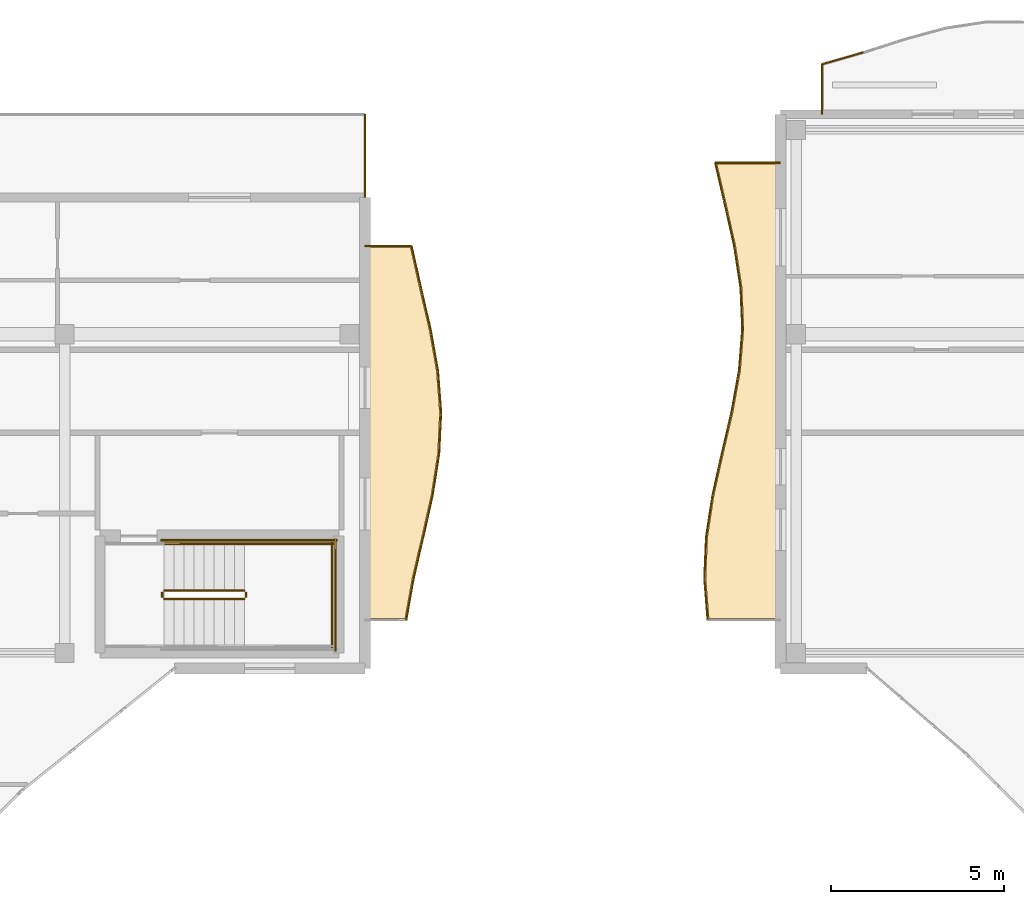
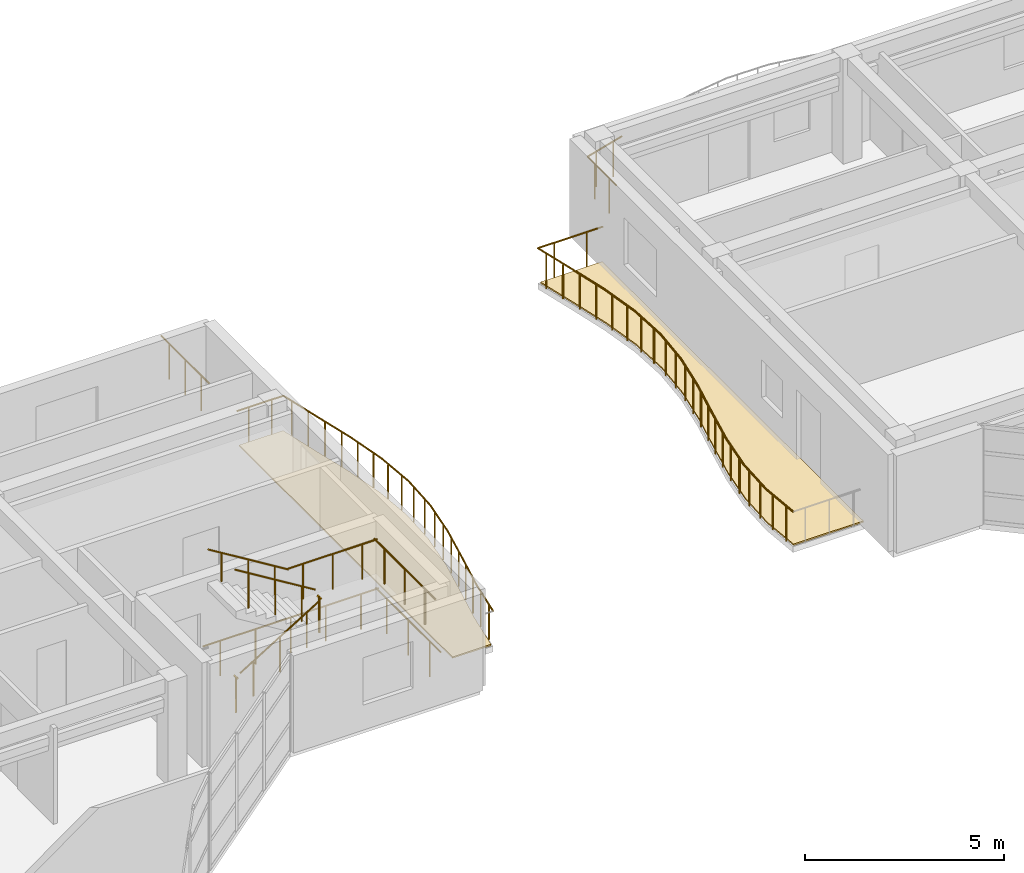
# One storey, part 58 of 68: 34 railings, 2 coverings.
"""IFC4 building model written with IfcOpenShell, lengths in metres."""

from ifc_helpers import new_model, si_unit, direction, frame, origin, origin_2d, place, context, subcontext, project, spatial, polyline, circle, outline, extrude, material, layer, layer_set, type_object, element, save


model = new_model("IFC4")

# Units and contexts
model_context = context("Model", 3, precision=1e-05, world=origin(), true_north=direction((0.0, 1.0)))
body_context = subcontext(model_context, "Body", "Model", "MODEL_VIEW")
ifc_project = project(units=[si_unit("LENGTHUNIT", "METRE"), si_unit("AREAUNIT", "SQUARE_METRE"), si_unit("VOLUMEUNIT", "CUBIC_METRE"), si_unit("PLANEANGLEUNIT", "RADIAN"), si_unit("MASSUNIT", "GRAM", prefix="KILO")], contexts=[model_context])

# Site, building, storey
site_placement = place(None, origin())
site = spatial("IfcSite", under=ifc_project, at=site_placement, CompositionType="ELEMENT")
building_placement = place(site_placement, origin())
building = spatial("IfcBuilding", under=site, at=building_placement, Name="Keldmere Railside Commons", CompositionType="ELEMENT")
storey_placement = place(building_placement, frame((0.0, 0.0, 23.360107421875)))
storey = spatial("IfcBuildingStorey", under=building, at=storey_placement, Name="L07", CompositionType="ELEMENT", Elevation=23.360107421875)

# Railings
ifc_material_1 = material(Name="Steel F-24 (S235)", Category="steel")
railing_type_1 = type_object("IfcRailingType", Name="Balcony & Terrace Steel Balustrade 1100", PredefinedType="BALUSTRADE", material=ifc_material_1)
railing_1_placement = place(storey_placement, frame((82.6923828125, 101.39990234375, 0.0)))
element("IfcRailing", 1, at=railing_1_placement, inside=storey, type_object=railing_type_1, Name="GR-1 GRD-L07-1600", PredefinedType="BALUSTRADE", context=body_context, shape_type="SweptSolid", body=[
    extrude(circle(Radius=0.02392578125, at=origin_2d()), frame((0.0, 0.0, 1.076171875), z_axis=(0.175236093414, 0.984526440257, 0.0), x_axis=(-0.984526440257, 0.175236093414, 0.0)), (0.0, 0.0, 1.0), 1.218994140625),
    extrude(circle(Radius=0.02099609375, at=origin_2d()), frame((0.053466796875, 0.300048828125, 0.0)), (0.0, 0.0, 1.0), 1.048095703125),
    extrude(circle(Radius=0.02099609375, at=origin_2d()), frame((0.16015625, 0.900146484375, 0.0)), (0.0, 0.0, 1.0), 1.048095703125),
])
railing_2_placement = place(storey_placement, frame((82.906005859375, 102.60009765625, 0.0)))
element("IfcRailing", 2, at=railing_2_placement, inside=storey, type_object=railing_type_1, Name="GR-1 GRD-L07-1601", PredefinedType="BALUSTRADE", context=body_context, shape_type="SweptSolid", body=[
    extrude(circle(Radius=0.02392578125, at=origin_2d()), frame((0.0, 0.0, 1.076171875), z_axis=(0.226697113125, 0.973965306826, 0.0), x_axis=(-0.973965306826, 0.226697113125, 0.0)), (0.0, 0.0, 1.0), 1.23193359375),
    extrude(circle(Radius=0.02099609375, at=origin_2d()), frame((0.06982421875, 0.300048828125, 0.0)), (0.0, 0.0, 1.0), 1.048095703125),
    extrude(circle(Radius=0.02099609375, at=origin_2d()), frame((0.20947265625, 0.89990234375, 0.0)), (0.0, 0.0, 1.0), 1.048095703125),
])
railing_3_placement = place(storey_placement, frame((83.185302734375, 103.800048828125, 0.0)))
element("IfcRailing", 3, at=railing_3_placement, inside=storey, type_object=railing_type_1, Name="GR-1 GRD-L07-1602", PredefinedType="BALUSTRADE", context=body_context, shape_type="SweptSolid", body=[
    extrude(circle(Radius=0.02392578125, at=origin_2d()), frame((0.0, 0.0, 1.076171875), z_axis=(0.219157904751, 0.97568940385, 0.0), x_axis=(-0.97568940385, 0.219157904751, 0.0)), (0.0, 0.0, 1.0), 1.229736328125),
    extrude(circle(Radius=0.02099609375, at=origin_2d()), frame((0.0673828125, 0.300048828125, 0.0)), (0.0, 0.0, 1.0), 1.048095703125),
    extrude(circle(Radius=0.02099609375, at=origin_2d()), frame((0.2021484375, 0.89990234375, 0.0)), (0.0, 0.0, 1.0), 1.048095703125),
])
railing_4_placement = place(storey_placement, frame((83.454833984375, 105.0, 0.0)))
element("IfcRailing", 4, at=railing_4_placement, inside=storey, type_object=railing_type_1, Name="GR-1 GRD-L07-1603", PredefinedType="BALUSTRADE", context=body_context, shape_type="SweptSolid", body=[
    extrude(circle(Radius=0.02392578125, at=origin_2d()), frame((0.0, 0.0, 1.076171875), z_axis=(0.154775432703, 0.987949677581, 0.0), x_axis=(-0.987949677581, 0.154775432703, 0.0)), (0.0, 0.0, 1.0), 1.214599609375),
    extrude(circle(Radius=0.02099609375, at=origin_2d()), frame((0.046875, 0.300048828125, 0.0)), (0.0, 0.0, 1.0), 1.048095703125),
    extrude(circle(Radius=0.02099609375, at=origin_2d()), frame((0.14111328125, 0.89990234375, 0.0)), (0.0, 0.0, 1.0), 1.048095703125),
])
railing_5_placement = place(storey_placement, frame((83.642822265625, 106.199951171875, 0.0)))
element("IfcRailing", 5, at=railing_5_placement, inside=storey, type_object=railing_type_1, Name="GR-1 GRD-L07-1604", PredefinedType="BALUSTRADE", context=body_context, shape_type="SweptSolid", body=[
    extrude(circle(Radius=0.02392578125, at=origin_2d()), frame((0.0, 0.0, 1.076171875), z_axis=(0.046744370991, 0.99890688444, 0.0), x_axis=(-0.99890688444, 0.046744370991, 0.0)), (0.0, 0.0, 1.0), 1.201171875),
    extrude(circle(Radius=0.02099609375, at=origin_2d()), frame((0.01416015625, 0.300048828125, 0.0)), (0.0, 0.0, 1.0), 1.048095703125),
    extrude(circle(Radius=0.02099609375, at=origin_2d()), frame((0.0419921875, 0.89990234375, 0.0)), (0.0, 0.0, 1.0), 1.048095703125),
])
railing_6_placement = place(storey_placement, frame((83.698974609375, 107.39990234375, 0.0)))
element("IfcRailing", 6, at=railing_6_placement, inside=storey, type_object=railing_type_1, Name="GR-1 GRD-L07-1605", PredefinedType="BALUSTRADE", context=body_context, shape_type="SweptSolid", body=[
    extrude(circle(Radius=0.02392578125, at=origin_2d()), frame((0.0, 0.0, 1.076171875), z_axis=(-0.075858897958, 0.997118562459, 0.0), x_axis=(-0.997118562459, -0.075858897958, 0.0)), (0.0, 0.0, 1.0), 1.20361328125),
    extrude(circle(Radius=0.02099609375, at=origin_2d()), frame((-0.02294921875, 0.300048828125, 0.0)), (0.0, 0.0, 1.0), 1.048095703125),
    extrude(circle(Radius=0.02099609375, at=origin_2d()), frame((-0.068359375, 0.900146484375, 0.0)), (0.0, 0.0, 1.0), 1.048095703125),
])
railing_7_placement = place(storey_placement, frame((83.607666015625, 108.60009765625, 0.0)))
element("IfcRailing", 7, at=railing_7_placement, inside=storey, type_object=railing_type_1, Name="GR-1 GRD-L07-1606", PredefinedType="BALUSTRADE", context=body_context, shape_type="SweptSolid", body=[
    extrude(circle(Radius=0.02392578125, at=origin_2d()), frame((0.0, 0.0, 1.076171875), z_axis=(-0.175270651584, 0.984520288614, 0.0), x_axis=(-0.984520288614, -0.175270651584, 0.0)), (0.0, 0.0, 1.0), 1.21875),
    extrude(circle(Radius=0.02099609375, at=origin_2d()), frame((-0.053466796875, 0.300048828125, 0.0)), (0.0, 0.0, 1.0), 1.048095703125),
    extrude(circle(Radius=0.02099609375, at=origin_2d()), frame((-0.16015625, 0.89990234375, 0.0)), (0.0, 0.0, 1.0), 1.048095703125),
])
railing_8_placement = place(storey_placement, frame((83.39404296875, 109.800048828125, 0.0)))
element("IfcRailing", 8, at=railing_8_placement, inside=storey, type_object=railing_type_1, Name="GR-1 GRD-L07-1607", PredefinedType="BALUSTRADE", context=body_context, shape_type="SweptSolid", body=[
    extrude(circle(Radius=0.02392578125, at=origin_2d()), frame((0.0, 0.0, 1.076171875), z_axis=(-0.226697113125, 0.973965306826, 0.0), x_axis=(-0.973965306826, -0.226697113125, 0.0)), (0.0, 0.0, 1.0), 1.23193359375),
    extrude(circle(Radius=0.02099609375, at=origin_2d()), frame((-0.06982421875, 0.300048828125, 0.0)), (0.0, 0.0, 1.0), 1.048095703125),
    extrude(circle(Radius=0.02099609375, at=origin_2d()), frame((-0.20947265625, 0.89990234375, 0.0)), (0.0, 0.0, 1.0), 1.048095703125),
])
railing_9_placement = place(storey_placement, frame((83.11474609375, 111.0, 0.0)))
element("IfcRailing", 9, at=railing_9_placement, inside=storey, type_object=railing_type_1, Name="GR-1 GRD-L07-1608", PredefinedType="BALUSTRADE", context=body_context, shape_type="SweptSolid", body=[
    extrude(circle(Radius=0.02392578125, at=origin_2d()), frame((0.0, 0.0, 1.076171875), z_axis=(-0.219157904751, 0.97568940385, 0.0), x_axis=(-0.97568940385, -0.219157904751, 0.0)), (0.0, 0.0, 1.0), 1.229736328125),
    extrude(circle(Radius=0.02099609375, at=origin_2d()), frame((-0.0673828125, 0.300048828125, 0.0)), (0.0, 0.0, 1.0), 1.048095703125),
    extrude(circle(Radius=0.02099609375, at=origin_2d()), frame((-0.2021484375, 0.89990234375, 0.0)), (0.0, 0.0, 1.0), 1.048095703125),
])
railing_10_placement = place(storey_placement, frame((82.84521484375, 112.199951171875, 0.0)))
element("IfcRailing", 10, at=railing_10_placement, inside=storey, type_object=railing_type_1, Name="GR-1 GRD-L07-1609", PredefinedType="BALUSTRADE", context=body_context, shape_type="SweptSolid", body=[
    extrude(circle(Radius=0.02392578125, at=origin_2d()), frame((0.0, 0.0, 1.076171875), z_axis=(-1.0, 0.0, 0.0), x_axis=(0.0, -1.0, 0.0)), (0.0, 0.0, 1.0), 1.34521484375),
    extrude(circle(Radius=0.02099609375, at=origin_2d()), frame((-0.33642578125, 0.0, 0.0)), (0.0, 0.0, 1.0), 1.048095703125),
    extrude(circle(Radius=0.02099609375, at=origin_2d()), frame((-1.0087890625, 0.0, 0.0)), (0.0, 0.0, 1.0), 1.048095703125),
])
railing_11_placement = place(storey_placement, frame((81.5, 116.0, 0.0)))
element("IfcRailing", 11, at=railing_11_placement, inside=storey, type_object=railing_type_1, Name="GR-1 GRD-L07-1636", PredefinedType="BALUSTRADE", context=body_context, shape_type="SweptSolid", body=[
    extrude(circle(Radius=0.02392578125, at=origin_2d()), frame((0.0, 0.0, 1.076171875), z_axis=(0.0, -1.0, 0.0), x_axis=(1.0, 0.0, 0.0)), (0.0, 0.0, 1.0), 2.39990234375),
    extrude(circle(Radius=0.02099609375, at=origin_2d()), frame((0.0, -0.39990234375, 0.0)), (0.0, 0.0, 1.0), 1.048095703125),
    extrude(circle(Radius=0.02099609375, at=origin_2d()), frame((0.0, -1.199951171875, 0.0)), (0.0, 0.0, 1.0), 1.048095703125),
    extrude(circle(Radius=0.02099609375, at=origin_2d()), frame((0.0, -2.0, 0.0)), (0.0, 0.0, 1.0), 1.048095703125),
])
railing_12_placement = place(storey_placement, frame((94.699951171875, 116.0, 0.0)))
element("IfcRailing", 12, at=railing_12_placement, inside=storey, type_object=railing_type_1, Name="GR-1 GRD-L07-2630", PredefinedType="BALUSTRADE", context=body_context, shape_type="SweptSolid", body=[
    extrude(circle(Radius=0.02392578125, at=origin_2d()), frame((0.0, 0.0, 1.076171875), z_axis=(0.0, 1.0, 0.0), x_axis=(-1.0, 0.0, 0.0)), (0.0, 0.0, 1.0), 1.447998046875),
    extrude(circle(Radius=0.02099609375, at=origin_2d()), frame((0.0, 0.362060546875, 0.0)), (0.0, 0.0, 1.0), 1.048095703125),
    extrude(circle(Radius=0.02099609375, at=origin_2d()), frame((0.0, 1.0859375, 0.0)), (0.0, 0.0, 1.0), 1.048095703125),
])
railing_13_placement = place(storey_placement, frame((94.699951171875, 117.447998046875, 0.0)))
element("IfcRailing", 13, at=railing_13_placement, inside=storey, type_object=railing_type_1, Name="GR-1 GRD-L07-2631", PredefinedType="BALUSTRADE", context=body_context, shape_type="SweptSolid", body=[
    extrude(circle(Radius=0.02392578125, at=origin_2d()), frame((0.0, 0.0, 1.076171875), z_axis=(0.960955887297, 0.27670161306, 0.0), x_axis=(-0.27670161306, 0.960955887297, 0.0)), (0.0, 0.0, 1.0), 1.237060546875),
    extrude(circle(Radius=0.02099609375, at=origin_2d()), frame((0.297119140625, 0.08544921875, 0.0)), (0.0, 0.0, 1.0), 1.048095703125),
    extrude(circle(Radius=0.02099609375, at=origin_2d()), frame((0.8916015625, 0.2568359375, 0.0)), (0.0, 0.0, 1.0), 1.048095703125),
])
railing_14_placement = place(storey_placement, frame((91.397216796875, 101.39990234375, 0.0)))
element("IfcRailing", 14, at=railing_14_placement, inside=storey, type_object=railing_type_1, Name="GR-1 GRD-L07-2736", PredefinedType="BALUSTRADE", context=body_context, shape_type="SweptSolid", body=[
    extrude(circle(Radius=0.02392578125, at=origin_2d()), frame((0.0, 0.0, 1.076171875), z_axis=(-0.079285822271, 0.996851924002, 0.0), x_axis=(-0.996851924002, -0.079285822271, 0.0)), (0.0, 0.0, 1.0), 1.2041015625),
    extrude(circle(Radius=0.02099609375, at=origin_2d()), frame((-0.02392578125, 0.300048828125, 0.0)), (0.0, 0.0, 1.0), 1.048095703125),
    extrude(circle(Radius=0.02099609375, at=origin_2d()), frame((-0.071533203125, 0.900146484375, 0.0)), (0.0, 0.0, 1.0), 1.048095703125),
])
railing_15_placement = place(storey_placement, frame((91.3017578125, 102.60009765625, 0.0)))
element("IfcRailing", 15, at=railing_15_placement, inside=storey, type_object=railing_type_1, Name="GR-1 GRD-L07-2737", PredefinedType="BALUSTRADE", context=body_context, shape_type="SweptSolid", body=[
    extrude(circle(Radius=0.02392578125, at=origin_2d()), frame((0.0, 0.0, 1.076171875), z_axis=(0.042687401884, 0.999088477424, 0.0), x_axis=(-0.999088477424, 0.042687401884, 0.0)), (0.0, 0.0, 1.0), 1.200927734375),
    extrude(circle(Radius=0.02099609375, at=origin_2d()), frame((0.0126953125, 0.300048828125, 0.0)), (0.0, 0.0, 1.0), 1.048095703125),
    extrude(circle(Radius=0.02099609375, at=origin_2d()), frame((0.03857421875, 0.89990234375, 0.0)), (0.0, 0.0, 1.0), 1.048095703125),
])
railing_16_placement = place(storey_placement, frame((91.35302734375, 103.800048828125, 0.0)))
element("IfcRailing", 16, at=railing_16_placement, inside=storey, type_object=railing_type_1, Name="GR-1 GRD-L07-2738", PredefinedType="BALUSTRADE", context=body_context, shape_type="SweptSolid", body=[
    extrude(circle(Radius=0.02392578125, at=origin_2d()), frame((0.0, 0.0, 1.076171875), z_axis=(0.152026961983, 0.988376346758, 0.0), x_axis=(-0.988376346758, 0.152026961983, 0.0)), (0.0, 0.0, 1.0), 1.214111328125),
    extrude(circle(Radius=0.02099609375, at=origin_2d()), frame((0.046142578125, 0.300048828125, 0.0)), (0.0, 0.0, 1.0), 1.048095703125),
    extrude(circle(Radius=0.02099609375, at=origin_2d()), frame((0.138427734375, 0.89990234375, 0.0)), (0.0, 0.0, 1.0), 1.048095703125),
])
railing_17_placement = place(storey_placement, frame((91.53759765625, 105.0, 0.0)))
element("IfcRailing", 17, at=railing_17_placement, inside=storey, type_object=railing_type_1, Name="GR-1 GRD-L07-2739", PredefinedType="BALUSTRADE", context=body_context, shape_type="SweptSolid", body=[
    extrude(circle(Radius=0.02392578125, at=origin_2d()), frame((0.0, 0.0, 1.076171875), z_axis=(0.218212706806, 0.975901231984, 0.0), x_axis=(-0.975901231984, 0.218212706806, 0.0)), (0.0, 0.0, 1.0), 1.2294921875),
    extrude(circle(Radius=0.02099609375, at=origin_2d()), frame((0.067138671875, 0.300048828125, 0.0)), (0.0, 0.0, 1.0), 1.048095703125),
    extrude(circle(Radius=0.02099609375, at=origin_2d()), frame((0.201171875, 0.89990234375, 0.0)), (0.0, 0.0, 1.0), 1.048095703125),
])
railing_18_placement = place(storey_placement, frame((91.805908203125, 106.199951171875, 0.0)))
element("IfcRailing", 18, at=railing_18_placement, inside=storey, type_object=railing_type_1, Name="GR-1 GRD-L07-2740", PredefinedType="BALUSTRADE", context=body_context, shape_type="SweptSolid", body=[
    extrude(circle(Radius=0.02392578125, at=origin_2d()), frame((0.0, 0.0, 1.076171875), z_axis=(0.22726093294, 0.973833901833, 0.0), x_axis=(-0.973833901833, 0.22726093294, 0.0)), (0.0, 0.0, 1.0), 1.232177734375),
    extrude(circle(Radius=0.02099609375, at=origin_2d()), frame((0.070068359375, 0.300048828125, 0.0)), (0.0, 0.0, 1.0), 1.048095703125),
    extrude(circle(Radius=0.02099609375, at=origin_2d()), frame((0.2099609375, 0.89990234375, 0.0)), (0.0, 0.0, 1.0), 1.048095703125),
])
railing_19_placement = place(storey_placement, frame((92.0859375, 107.39990234375, 0.0)))
element("IfcRailing", 19, at=railing_19_placement, inside=storey, type_object=railing_type_1, Name="GR-1 GRD-L07-2741", PredefinedType="BALUSTRADE", context=body_context, shape_type="SweptSolid", body=[
    extrude(circle(Radius=0.02392578125, at=origin_2d()), frame((0.0, 0.0, 1.076171875), z_axis=(0.17775791918, 0.984074246269, 0.0), x_axis=(-0.984074246269, 0.17775791918, 0.0)), (0.0, 0.0, 1.0), 1.2197265625),
    extrude(circle(Radius=0.02099609375, at=origin_2d()), frame((0.05419921875, 0.300048828125, 0.0)), (0.0, 0.0, 1.0), 1.048095703125),
    extrude(circle(Radius=0.02099609375, at=origin_2d()), frame((0.16259765625, 0.900146484375, 0.0)), (0.0, 0.0, 1.0), 1.048095703125),
])
railing_20_placement = place(storey_placement, frame((92.302734375, 108.60009765625, 0.0)))
element("IfcRailing", 20, at=railing_20_placement, inside=storey, type_object=railing_type_1, Name="GR-1 GRD-L07-2742", PredefinedType="BALUSTRADE", context=body_context, shape_type="SweptSolid", body=[
    extrude(circle(Radius=0.02392578125, at=origin_2d()), frame((0.0, 0.0, 1.076171875), z_axis=(0.079301852233, 0.99685064891, 0.0), x_axis=(-0.99685064891, 0.079301852233, 0.0)), (0.0, 0.0, 1.0), 1.203857421875),
    extrude(circle(Radius=0.02099609375, at=origin_2d()), frame((0.02392578125, 0.300048828125, 0.0)), (0.0, 0.0, 1.0), 1.048095703125),
    extrude(circle(Radius=0.02099609375, at=origin_2d()), frame((0.071533203125, 0.89990234375, 0.0)), (0.0, 0.0, 1.0), 1.048095703125),
])
railing_21_placement = place(storey_placement, frame((92.398193359375, 109.800048828125, 0.0)))
element("IfcRailing", 21, at=railing_21_placement, inside=storey, type_object=railing_type_1, Name="GR-1 GRD-L07-2743", PredefinedType="BALUSTRADE", context=body_context, shape_type="SweptSolid", body=[
    extrude(circle(Radius=0.02392578125, at=origin_2d()), frame((0.0, 0.0, 1.076171875), z_axis=(-0.042687401884, 0.999088477424, 0.0), x_axis=(-0.999088477424, -0.042687401884, 0.0)), (0.0, 0.0, 1.0), 1.200927734375),
    extrude(circle(Radius=0.02099609375, at=origin_2d()), frame((-0.0126953125, 0.300048828125, 0.0)), (0.0, 0.0, 1.0), 1.048095703125),
    extrude(circle(Radius=0.02099609375, at=origin_2d()), frame((-0.03857421875, 0.89990234375, 0.0)), (0.0, 0.0, 1.0), 1.048095703125),
])
railing_22_placement = place(storey_placement, frame((92.346923828125, 111.0, 0.0)))
element("IfcRailing", 22, at=railing_22_placement, inside=storey, type_object=railing_type_1, Name="GR-1 GRD-L07-2744", PredefinedType="BALUSTRADE", context=body_context, shape_type="SweptSolid", body=[
    extrude(circle(Radius=0.02392578125, at=origin_2d()), frame((0.0, 0.0, 1.076171875), z_axis=(-0.152026961983, 0.988376346758, 0.0), x_axis=(-0.988376346758, -0.152026961983, 0.0)), (0.0, 0.0, 1.0), 1.214111328125),
    extrude(circle(Radius=0.02099609375, at=origin_2d()), frame((-0.046142578125, 0.300048828125, 0.0)), (0.0, 0.0, 1.0), 1.048095703125),
    extrude(circle(Radius=0.02099609375, at=origin_2d()), frame((-0.138427734375, 0.89990234375, 0.0)), (0.0, 0.0, 1.0), 1.048095703125),
])
railing_23_placement = place(storey_placement, frame((92.162353515625, 112.199951171875, 0.0)))
element("IfcRailing", 23, at=railing_23_placement, inside=storey, type_object=railing_type_1, Name="GR-1 GRD-L07-2745", PredefinedType="BALUSTRADE", context=body_context, shape_type="SweptSolid", body=[
    extrude(circle(Radius=0.02392578125, at=origin_2d()), frame((0.0, 0.0, 1.076171875), z_axis=(-0.218023593409, 0.975943498732, 0.0), x_axis=(-0.975943498732, -0.218023593409, 0.0)), (0.0, 0.0, 1.0), 1.2294921875),
    extrude(circle(Radius=0.02099609375, at=origin_2d()), frame((-0.06689453125, 0.300048828125, 0.0)), (0.0, 0.0, 1.0), 1.048095703125),
    extrude(circle(Radius=0.02099609375, at=origin_2d()), frame((-0.201171875, 0.89990234375, 0.0)), (0.0, 0.0, 1.0), 1.048095703125),
])
railing_24_placement = place(storey_placement, frame((91.894287109375, 113.39990234375, 0.0)))
element("IfcRailing", 24, at=railing_24_placement, inside=storey, type_object=railing_type_1, Name="GR-1 GRD-L07-2746", PredefinedType="BALUSTRADE", context=body_context, shape_type="SweptSolid", body=[
    extrude(circle(Radius=0.02392578125, at=origin_2d()), frame((0.0, 0.0, 1.076171875), z_axis=(-0.227404947924, 0.973800282224, 0.0), x_axis=(-0.973800282224, -0.227404947924, 0.0)), (0.0, 0.0, 1.0), 1.232421875),
    extrude(circle(Radius=0.02099609375, at=origin_2d()), frame((-0.070068359375, 0.300048828125, 0.0)), (0.0, 0.0, 1.0), 1.048095703125),
    extrude(circle(Radius=0.02099609375, at=origin_2d()), frame((-0.210205078125, 0.900146484375, 0.0)), (0.0, 0.0, 1.0), 1.048095703125),
])
railing_25_placement = place(storey_placement, frame((91.614013671875, 114.60009765625, 0.0)))
element("IfcRailing", 25, at=railing_25_placement, inside=storey, type_object=railing_type_1, Name="GR-1 GRD-L07-2747", PredefinedType="BALUSTRADE", context=body_context, shape_type="SweptSolid", body=[
    extrude(circle(Radius=0.02392578125, at=origin_2d()), frame((0.0, 0.0, 1.076171875), z_axis=(1.0, 0.0, 0.0), x_axis=(0.0, 1.0, 0.0)), (0.0, 0.0, 1.0), 1.885986328125),
    extrude(circle(Radius=0.02099609375, at=origin_2d()), frame((0.471435546875, 0.0, 0.0)), (0.0, 0.0, 1.0), 1.048095703125),
    extrude(circle(Radius=0.02099609375, at=origin_2d()), frame((1.41455078125, 0.0, 0.0)), (0.0, 0.0, 1.0), 1.048095703125),
])
railing_type_2 = type_object("IfcRailingType", Name="Stair Well Steel Guardrail 1100", PredefinedType="BALUSTRADE", material=ifc_material_1)
railing_26_placement = place(storey_placement, frame((75.699951171875, 102.0, 0.177734375)))
element("IfcRailing", 26, at=railing_26_placement, inside=storey, type_object=railing_type_2, Name="L07 ST-C2 stair guard 1", PredefinedType="BALUSTRADE", context=body_context, shape_type="SweptSolid", body=[
    extrude(circle(Radius=0.02392578125, at=origin_2d()), frame((0.0, 0.0, 1.076171875), z_axis=(0.852578041948, 0.0, 0.522599925744), x_axis=(0.0, 1.0, 0.0)), (0.0, 0.0, 1.0), 2.72119140625),
    extrude(circle(Radius=0.02099609375, at=origin_2d()), frame((0.38671875, 0.0, 0.237060546875)), (0.0, 0.0, 1.0), 1.048095703125),
    extrude(circle(Radius=0.02099609375, at=origin_2d()), frame((1.16015625, 0.0, 0.7109375)), (0.0, 0.0, 1.0), 1.048095703125),
    extrude(circle(Radius=0.02099609375, at=origin_2d()), frame((1.933349609375, 0.0, 1.18505859375)), (0.0, 0.0, 1.0), 1.048095703125),
])
railing_27_placement = place(storey_placement, frame((78.070068359375, 102.050048828125, 1.599853515625)))
element("IfcRailing", 27, at=railing_27_placement, inside=storey, type_object=railing_type_2, Name="L07 ST-C2 stair guard 2", PredefinedType="BALUSTRADE", context=body_context, shape_type="SweptSolid", body=[
    extrude(circle(Radius=0.02392578125, at=origin_2d()), frame((0.0, 0.0, 1.076171875), z_axis=(0.0, 1.0, 0.0), x_axis=(-1.0, 0.0, 0.0)), (0.0, 0.0, 1.0), 0.14990234375),
    extrude(circle(Radius=0.02099609375, at=origin_2d()), frame((0.0, 0.074951171875, 0.0)), (0.0, 0.0, 1.0), 1.048095703125),
])
railing_28_placement = place(storey_placement, frame((78.02001953125, 103.60009765625, 1.599853515625)))
element("IfcRailing", 28, at=railing_28_placement, inside=storey, type_object=railing_type_2, Name="L07 ST-C2 stair guard 4", PredefinedType="BALUSTRADE", context=body_context, shape_type="SweptSolid", body=[
    extrude(circle(Radius=0.02392578125, at=origin_2d()), frame((0.0, 0.0, 1.076171875), z_axis=(1.0, 0.0, 0.0), x_axis=(0.0, 1.0, 0.0)), (0.0, 0.0, 1.0), 2.580078125),
    extrude(circle(Radius=0.02099609375, at=origin_2d()), frame((0.429931640625, 0.0, 0.0)), (0.0, 0.0, 1.0), 1.048095703125),
    extrude(circle(Radius=0.02099609375, at=origin_2d()), frame((1.2900390625, 0.0, 0.0)), (0.0, 0.0, 1.0), 1.048095703125),
    extrude(circle(Radius=0.02099609375, at=origin_2d()), frame((2.150146484375, 0.0, 0.0)), (0.0, 0.0, 1.0), 1.048095703125),
])
railing_29_placement = place(storey_placement, frame((80.550048828125, 100.60009765625, 1.599853515625)))
element("IfcRailing", 29, at=railing_29_placement, inside=storey, type_object=railing_type_2, Name="L07 ST-C2 stair guard 5", PredefinedType="BALUSTRADE", context=body_context, shape_type="SweptSolid", body=[
    extrude(circle(Radius=0.02392578125, at=origin_2d()), frame((0.0, 0.0, 1.076171875), z_axis=(0.0, 1.0, 0.0), x_axis=(-1.0, 0.0, 0.0)), (0.0, 0.0, 1.0), 3.0498046875),
    extrude(circle(Radius=0.02099609375, at=origin_2d()), frame((0.0, 0.50830078125, 0.0)), (0.0, 0.0, 1.0), 1.048095703125),
    extrude(circle(Radius=0.02099609375, at=origin_2d()), frame((0.0, 1.52490234375, 0.0)), (0.0, 0.0, 1.0), 1.048095703125),
    extrude(circle(Radius=0.02099609375, at=origin_2d()), frame((0.0, 2.54150390625, 0.0)), (0.0, 0.0, 1.0), 1.048095703125),
])
railing_30_placement = place(storey_placement, frame((78.02001953125, 102.25, 1.777587890625)))
element("IfcRailing", 30, at=railing_30_placement, inside=storey, type_object=railing_type_2, Name="L07 ST-C2 stair guard 6", PredefinedType="BALUSTRADE", context=body_context, shape_type="SweptSolid", body=[
    extrude(circle(Radius=0.02392578125, at=origin_2d()), frame((0.0, 0.0, 1.076171875), z_axis=(-0.852538067394, 0.0, 0.522665135287), x_axis=(0.0, -1.0, 0.0)), (0.0, 0.0, 1.0), 2.721435546875),
    extrude(circle(Radius=0.02099609375, at=origin_2d()), frame((-0.38671875, 0.0, 0.237060546875)), (0.0, 0.0, 1.0), 1.048095703125),
    extrude(circle(Radius=0.02099609375, at=origin_2d()), frame((-1.16015625, 0.0, 0.711181640625)), (0.0, 0.0, 1.0), 1.048095703125),
    extrude(circle(Radius=0.02099609375, at=origin_2d()), frame((-1.933349609375, 0.0, 1.185302734375)), (0.0, 0.0, 1.0), 1.048095703125),
])
railing_31_placement = place(storey_placement, frame((75.64990234375, 102.050048828125, 0.0)))
element("IfcRailing", 31, at=railing_31_placement, inside=storey, type_object=railing_type_2, Name="L07 ST-C2 stair guard 7", PredefinedType="BALUSTRADE", context=body_context, shape_type="SweptSolid", body=[
    extrude(circle(Radius=0.02392578125, at=origin_2d()), frame((0.0, 0.0, 1.076171875), z_axis=(0.0, 1.0, 0.0), x_axis=(-1.0, 0.0, 0.0)), (0.0, 0.0, 1.0), 0.14990234375),
    extrude(circle(Radius=0.02099609375, at=origin_2d()), frame((0.0, 0.074951171875, 0.0)), (0.0, 0.0, 1.0), 1.048095703125),
])
railing_32_placement = place(storey_placement, frame((75.60009765625, 103.699951171875, 0.0)))
element("IfcRailing", 32, at=railing_32_placement, inside=storey, type_object=railing_type_2, Name="L07 ST-C2 stair guard 11", PredefinedType="BALUSTRADE", context=body_context, shape_type="SweptSolid", body=[
    extrude(circle(Radius=0.02392578125, at=origin_2d()), frame((0.0, 0.0, 1.076171875), z_axis=(1.0, 0.0, 0.0), x_axis=(0.0, 1.0, 0.0)), (0.0, 0.0, 1.0), 5.099853515625),
    extrude(circle(Radius=0.02099609375, at=origin_2d()), frame((0.510009765625, 0.0, 0.0)), (0.0, 0.0, 1.0), 1.048095703125),
    extrude(circle(Radius=0.02099609375, at=origin_2d()), frame((1.530029296875, 0.0, 0.0)), (0.0, 0.0, 1.0), 1.048095703125),
    extrude(circle(Radius=0.02099609375, at=origin_2d()), frame((2.5498046875, 0.0, 0.0)), (0.0, 0.0, 1.0), 1.048095703125),
    extrude(circle(Radius=0.02099609375, at=origin_2d()), frame((3.56982421875, 0.0, 0.0)), (0.0, 0.0, 1.0), 1.048095703125),
    extrude(circle(Radius=0.02099609375, at=origin_2d()), frame((4.58984375, 0.0, 0.0)), (0.0, 0.0, 1.0), 1.048095703125),
])
railing_33_placement = place(storey_placement, frame((80.64990234375, 100.5, 0.0)))
element("IfcRailing", 33, at=railing_33_placement, inside=storey, type_object=railing_type_2, Name="L07 ST-C2 stair guard 12", PredefinedType="BALUSTRADE", context=body_context, shape_type="SweptSolid", body=[
    extrude(circle(Radius=0.02392578125, at=origin_2d()), frame((0.0, 0.0, 1.076171875), z_axis=(0.0, 1.0, 0.0), x_axis=(-1.0, 0.0, 0.0)), (0.0, 0.0, 1.0), 3.25),
    extrude(circle(Radius=0.02099609375, at=origin_2d()), frame((0.0, 0.541748046875, 0.0)), (0.0, 0.0, 1.0), 1.048095703125),
    extrude(circle(Radius=0.02099609375, at=origin_2d()), frame((0.0, 1.625, 0.0)), (0.0, 0.0, 1.0), 1.048095703125),
    extrude(circle(Radius=0.02099609375, at=origin_2d()), frame((0.0, 2.708251953125, 0.0)), (0.0, 0.0, 1.0), 1.048095703125),
])
railing_type_3 = type_object("IfcRailingType", Name="Wall-Mounted Tubular Steel Handrail 900", PredefinedType="HANDRAIL", material=ifc_material_1)
railing_34_placement = place(storey_placement, frame((78.02001953125, 103.60009765625, 1.777587890625)))
element("IfcRailing", 34, at=railing_34_placement, inside=storey, type_object=railing_type_3, Name="L07 ST-C2 stair handrail 2", PredefinedType="HANDRAIL", context=body_context, shape_type="SweptSolid", body=[
    extrude(circle(Radius=0.02392578125, at=origin_2d()), frame((0.0, 0.0, 0.8759765625), z_axis=(-0.852538067394, 0.0, 0.522665135287), x_axis=(0.0, -1.0, 0.0)), (0.0, 0.0, 1.0), 2.721435546875),
    extrude(circle(Radius=0.02099609375, at=origin_2d()), frame((-0.38671875, 0.0, 0.237060546875)), (0.0, 0.0, 1.0), 0.847900390625),
    extrude(circle(Radius=0.02099609375, at=origin_2d()), frame((-1.16015625, 0.0, 0.711181640625)), (0.0, 0.0, 1.0), 0.847900390625),
    extrude(circle(Radius=0.02099609375, at=origin_2d()), frame((-1.933349609375, 0.0, 1.185302734375)), (0.0, 0.0, 1.0), 0.847900390625),
])

# Coverings
ifc_material_2 = material(Name="White Precast Concrete C35/45", Category="concrete")
ifc_layer = layer(ifc_material_2, 0.044921875, Name="White Architectural Balcony Ribbon Cladding 45")
ifc_layer_set = layer_set([ifc_layer], Name="White Precast Concrete C35/45")
covering_type = type_object("IfcCoveringType", Name="White Architectural Balcony Ribbon Cladding 45", PredefinedType="FLOORING", material=ifc_layer_set)
covering_1_placement = place(storey_placement, origin())
element("IfcCovering", 35, at=covering_1_placement, inside=storey, type_object=covering_type, Name="CLG-WB C L07 WE White Balcony Ribbon", PredefinedType="FLOORING", context=body_context, shape_type="SweptSolid", body=[
    extrude(outline(polyline([(82.86669921875, 102.60693359375), (82.866943359375, 102.609130859375), (83.146240234375, 103.808837890625), (83.41552734375, 105.007568359375), (83.60302734375, 106.2041015625), (83.65869140625, 107.3994140625), (83.568115234375, 108.594970703125), (83.354736328125, 109.7919921875), (83.07568359375, 110.990966796875), (83.07568359375, 110.9912109375), (82.81298828125, 112.159912109375), (81.5400390625, 112.159912109375), (81.5400390625, 101.43994140625), (82.65869140625, 101.43994140625), (82.86669921875, 102.60693359375)])), origin(), (0.0, 0.0, 1.0), 0.044921875),
])
covering_2_placement = place(storey_placement, origin())
element("IfcCovering", 36, at=covering_2_placement, inside=storey, type_object=covering_type, Name="CLG-WB B L07 WW White Balcony Ribbon", PredefinedType="FLOORING", context=body_context, shape_type="SweptSolid", body=[
    extrude(outline(polyline([(93.4599609375, 114.56005859375), (91.66455078125, 114.56005859375), (91.93310546875, 113.4091796875), (91.93310546875, 113.40869140625), (92.201416015625, 112.208740234375), (92.201904296875, 112.2060546875), (92.386474609375, 111.006103515625), (92.386962890625, 111.001708984375), (92.438232421875, 109.8017578125), (92.43798828125, 109.796875), (92.342529296875, 108.5966796875), (92.342041015625, 108.593017578125), (92.125244140625, 107.392822265625), (92.125, 107.390869140625), (91.8447265625, 106.191162109375), (91.576904296875, 104.99267578125), (91.39306640625, 103.796142578125), (91.341796875, 102.6005859375), (91.43408203125, 101.43994140625), (93.4599609375, 101.43994140625), (93.4599609375, 114.56005859375)])), origin(), (0.0, 0.0, 1.0), 0.044921875),
])

save(model, "model.ifc")
